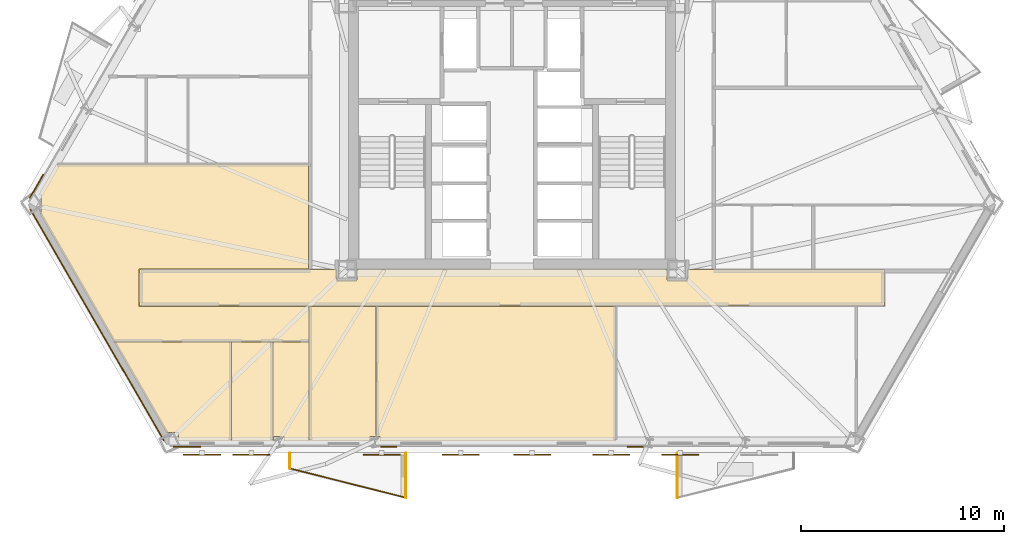
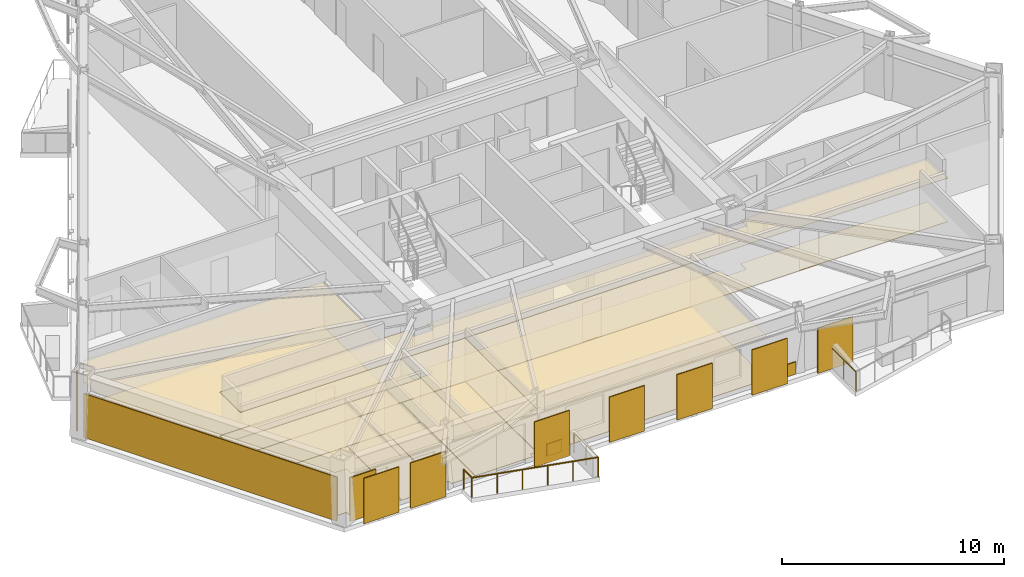
# One storey, part 7 of 10: 19 coverings, 7 shading devices, 4 railings.
"""IFC4 building model written with IfcOpenShell, lengths in metres."""

import ifcopenshell
import ifcopenshell.guid

model = None  # the IFC model being written
_history = None  # IfcOwnerHistory: only IFC2X3 demands one
_inside = {}  # id of a spatial element -> (the spatial element, [elements in it])
_under = {}  # id of a project, library or spatial element -> (it, [spatial elements below it])
_declared = {}  # id of a project -> (the project, [libraries it declares])
_typed = {}  # id of a type object -> (the type object, [elements of that type])
_made_of = {}  # id of a material, layer set ... -> (it, [elements and type objects made of it])


def new_model(schema):
    """Start an empty IFC model of exactly this schema.

    Asked for "IFC4X3", IfcOpenShell would pick the latest addendum, in which some entities
    have other attributes; the version numbers below select the first issue.
    IFC2X3 requires an IfcOwnerHistory on every rooted entity: one is made here for all.
    """
    global model, _history
    if schema == "IFC4X3":
        model = ifcopenshell.file(schema_version=(4, 3, 0, 0))
    else:
        model = ifcopenshell.file(schema=schema)
    _inside.clear()
    _under.clear()
    _declared.clear()
    _typed.clear()
    _made_of.clear()
    _history = None
    if model.schema == "IFC2X3":
        org = make("IfcOrganization", Name="unknown")
        user = make(
            "IfcPersonAndOrganization",
            ThePerson=make("IfcPerson", FamilyName="unknown"),
            TheOrganization=org,
        )
        app = make(
            "IfcApplication",
            ApplicationDeveloper=org,
            Version="unknown",
            ApplicationFullName="unknown",
            ApplicationIdentifier="unknown",
        )
        _history = make(
            "IfcOwnerHistory",
            OwningUser=user,
            OwningApplication=app,
            ChangeAction="ADDED",
            CreationDate=0,
        )
    return model


def make(cls, **values):
    """One entity of the class cls with the attributes given. An attribute that is None is left unset."""
    return model.create_entity(
        cls, **{name: value for name, value in values.items() if value is not None}
    )


def rooted(cls, **values):
    """An entity with a GlobalId (a new one), such as an element, a storey or a relation."""
    return make(cls, GlobalId=ifcopenshell.guid.new(), OwnerHistory=_history, **values)


def si_unit(unit_type, name, prefix=None):
    """IfcSIUnit, for example si_unit("LENGTHUNIT", "METRE", prefix="MILLI")."""
    return make("IfcSIUnit", UnitType=unit_type, Prefix=prefix, Name=name)


def assignment(units):
    """IfcUnitAssignment: the units of a project."""
    return None if units is None else make("IfcUnitAssignment", Units=units)


def point(xyz):
    """IfcCartesianPoint."""
    return None if xyz is None else make("IfcCartesianPoint", Coordinates=xyz)


def direction(xyz):
    """IfcDirection."""
    return None if xyz is None else make("IfcDirection", DirectionRatios=xyz)


def frame(location, z_axis=None, x_axis=None):
    """IfcAxis2Placement3D, a coordinate frame: its origin and axes. An axis left out is left unset."""
    return make(
        "IfcAxis2Placement3D",
        Location=point(location),
        Axis=direction(z_axis),
        RefDirection=direction(x_axis),
    )


def frame_2d(location, x_axis=None):
    """IfcAxis2Placement2D, a coordinate frame in the plane: its origin and x axis."""
    return make(
        "IfcAxis2Placement2D", Location=point(location), RefDirection=direction(x_axis)
    )


def origin():
    """The frame at (0, 0, 0) with its axes left unset."""
    return frame((0.0, 0.0, 0.0))


def origin_2d():
    """The frame at (0, 0) in the plane with its x axis left unset."""
    return frame_2d((0.0, 0.0))


def place(relative_to, where):
    """IfcLocalPlacement: puts the frame where relative to a parent placement (None: the world)."""
    return make(
        "IfcLocalPlacement", PlacementRelTo=relative_to, RelativePlacement=where
    )


def context(
    kind, dimensions, precision=None, world=None, true_north=None, identifier=None
):
    """IfcGeometricRepresentationContext, for example the 3D "Model" context."""
    return make(
        "IfcGeometricRepresentationContext",
        ContextIdentifier=identifier,
        ContextType=kind,
        CoordinateSpaceDimension=dimensions,
        Precision=precision,
        WorldCoordinateSystem=world,
        TrueNorth=true_north,
    )


def subcontext(parent, identifier, kind, view, scale=None):
    """IfcGeometricRepresentationSubContext, for example "Body" below "Model"."""
    return make(
        "IfcGeometricRepresentationSubContext",
        ContextIdentifier=identifier,
        ContextType=kind,
        ParentContext=parent,
        TargetScale=scale,
        TargetView=view,
    )


def project(units=None, contexts=None):
    """IfcProject with its units and contexts."""
    return rooted(
        "IfcProject",
        Name="project",
        RepresentationContexts=contexts,
        UnitsInContext=assignment(units),
    )


def spatial(cls, under=None, at=None, **own):
    """A site, building, storey or space (cls), placed at a placement, below another one or the project."""
    s = rooted(cls, ObjectPlacement=at, **own)
    if under is not None:
        _under.setdefault(under.id(), (under, []))[1].append(s)
    return s


def polyline(points):
    """IfcPolyline through the points."""
    return make("IfcPolyline", Points=[point(p) for p in points])


def profile(cls, at=None, kind="AREA", **sizes):
    """A parametric profile (cls). Its sizes go by their IFC names, for example OverallWidth=200.0."""
    return make(cls, ProfileType=kind, Position=at, **sizes)


def rectangle(**sizes):
    """IfcRectangleProfileDef."""
    return profile("IfcRectangleProfileDef", **sizes)


def circle(**sizes):
    """IfcCircleProfileDef."""
    return profile("IfcCircleProfileDef", **sizes)


def outline(outer, holes=None, kind="AREA"):
    """IfcArbitraryClosedProfileDef: a profile drawn as a closed curve; with holes, ...WithVoids."""
    if holes is None:
        return make("IfcArbitraryClosedProfileDef", ProfileType=kind, OuterCurve=outer)
    return make(
        "IfcArbitraryProfileDefWithVoids",
        ProfileType=kind,
        OuterCurve=outer,
        InnerCurves=holes,
    )


def extrude(swept, where, along, depth):
    """IfcExtrudedAreaSolid: the profile swept, set in the frame where, extruded along a direction by depth."""
    return make(
        "IfcExtrudedAreaSolid",
        SweptArea=swept,
        Position=where,
        ExtrudedDirection=direction(along),
        Depth=depth,
    )


def shape(context_of_items, identifier, shape_type, items):
    """IfcShapeRepresentation: the items that make up one representation, for example the "Body"."""
    return make(
        "IfcShapeRepresentation",
        ContextOfItems=context_of_items,
        RepresentationIdentifier=identifier,
        RepresentationType=shape_type,
        Items=items,
    )


def material(Name=None, Category=None):
    """IfcMaterial."""
    return make("IfcMaterial", Name=Name, Category=Category)


def layer(
    of_material, thickness, ventilated=None, Name=None, Category=None, Priority=None
):
    """IfcMaterialLayer: one layer of a wall or slab, of a material (None: an air gap)."""
    return make(
        "IfcMaterialLayer",
        Material=of_material,
        LayerThickness=thickness,
        IsVentilated=ventilated,
        Name=Name,
        Category=Category,
        Priority=Priority,
    )


def layer_set(layers, Name=None):
    """IfcMaterialLayerSet."""
    return make("IfcMaterialLayerSet", MaterialLayers=layers, LayerSetName=Name)


def made_of(thing, what):
    """Note that an element or type object is made of a material, layer set ...; save() writes the relation."""
    if what is not None:
        _made_of.setdefault(what.id(), (what, []))[1].append(thing)
    return thing


def type_object(cls, material=None, **own):
    """A type object (cls), such as IfcWallType, which elements share."""
    return made_of(rooted(cls, **own), material)


def element(
    cls,
    number,
    at=None,
    inside=None,
    cuts=None,
    type_object=None,
    material=None,
    context=None,
    identifier="Body",
    shape_type=None,
    held_by="IfcProductDefinitionShape",
    body=None,
    shapes=None,
    **own,
):
    """One element of the class cls, such as IfcWall. Its Tag is "e" and its number.

    at: its placement. inside: the storey or other place that contains it. cuts: it is an
    opening in that element (IfcRelVoidsElement). A single representation is given by context,
    identifier, shape_type and body (its items); several are given by shapes. held_by: the class
    of the entity that holds the representations. save() writes the other relations.
    """
    e = rooted(cls, Tag="e%d" % number, ObjectPlacement=at, **own)
    if body is not None:
        shapes = [shape(context, identifier, shape_type, body)]
    if shapes is not None:
        e.Representation = make(held_by, Representations=shapes)
    if inside is not None:
        _inside.setdefault(inside.id(), (inside, []))[1].append(e)
    if cuts is not None:
        rooted(
            "IfcRelVoidsElement", RelatingBuildingElement=cuts, RelatedOpeningElement=e
        )
    if type_object is not None:
        _typed.setdefault(type_object.id(), (type_object, []))[1].append(e)
    return made_of(e, material)


def aggregate(whole, parts):
    """IfcRelAggregates: a whole, such as a stair, and the parts it consists of."""
    return rooted("IfcRelAggregates", RelatingObject=whole, RelatedObjects=parts)


def save(model, path):
    """Write the relations noted so far, then the file.

    IfcRelAggregates (storeys below a building ...), IfcRelContainedInSpatialStructure (elements
    in a storey), IfcRelDefinesByType, IfcRelAssociatesMaterial and IfcRelDeclares: one each for
    every whole, place, type object, material and project.
    """
    for whole, parts in _under.values():
        aggregate(whole, parts)
    for where, things in _inside.values():
        rooted(
            "IfcRelContainedInSpatialStructure",
            RelatedElements=things,
            RelatingStructure=where,
        )
    for kind, things in _typed.values():
        rooted("IfcRelDefinesByType", RelatedObjects=things, RelatingType=kind)
    for what, things in _made_of.values():
        rooted("IfcRelAssociatesMaterial", RelatedObjects=things, RelatingMaterial=what)
    for by, libraries in _declared.values():
        rooted("IfcRelDeclares", RelatingContext=by, RelatedDefinitions=libraries)
    model.write(path)


model = new_model("IFC4")

# Units and contexts
model_context = context("Model", 3, precision=1e-05, world=origin(), true_north=direction((0.0, 1.0)))
body_context = subcontext(model_context, "Body", "Model", "MODEL_VIEW")
ifc_project = project(units=[si_unit("LENGTHUNIT", "METRE"), si_unit("AREAUNIT", "SQUARE_METRE"), si_unit("VOLUMEUNIT", "CUBIC_METRE"), si_unit("PLANEANGLEUNIT", "RADIAN"), si_unit("MASSUNIT", "GRAM", prefix="KILO")], contexts=[model_context])

# Site, building, storey
site_placement = place(None, origin())
site = spatial("IfcSite", under=ifc_project, at=site_placement, CompositionType="ELEMENT")
building_placement = place(site_placement, origin())
building = spatial("IfcBuilding", under=site, at=building_placement, Name="Oramaril Tower", CompositionType="ELEMENT")
storey_placement = place(building_placement, frame((0.0, 0.0, 66.89990234375)))
storey = spatial("IfcBuildingStorey", under=building, at=storey_placement, Name="L17", CompositionType="ELEMENT", Elevation=66.89990234375)

# Coverings
ifc_material_1 = material(Name="Mineral Fibre Acoustic Ceiling")
ifc_layer_1 = layer(ifc_material_1, 0.02001953125)
ifc_layer_set_1 = layer_set([ifc_layer_1], Name="CVT-CEIL")
covering_type_1 = type_object("IfcCoveringType", Name="CVT-CEIL", PredefinedType="CEILING", material=ifc_layer_set_1)
covering_1_placement = place(storey_placement, frame((0.0, 0.0, 2.400146484375)))
element("IfcCovering", 1, at=covering_1_placement, inside=storey, type_object=covering_type_1, Name="L17 Acoustic Suspended Ceiling 1", PredefinedType="CEILING", context=body_context, shape_type="SweptSolid", body=[
    extrude(outline(polyline([(28.85498046875, 10.5048828125), (29.844970703125, 10.5048828125), (29.844970703125, 11.030029296875), (45.155029296875, 11.030029296875), (45.155029296875, 10.5048828125), (46.14501953125, 10.5048828125), (46.14501953125, 11.030029296875), (55.8798828125, 11.030029296875), (55.8798828125, 9.219970703125), (19.1201171875, 9.219970703125), (19.1201171875, 11.030029296875), (28.85498046875, 11.030029296875), (28.85498046875, 10.5048828125)])), origin(), (0.0, 0.0, 1.0), 0.02001953125),
])
covering_2_placement = place(storey_placement, frame((0.0, 0.0, 2.400146484375)))
element("IfcCovering", 2, at=covering_2_placement, inside=storey, type_object=covering_type_1, Name="L17 Acoustic Suspended Ceiling 5", PredefinedType="CEILING", context=body_context, shape_type="SweptSolid", body=[
    extrude(outline(polyline([(30.984375, 2.573974609375), (30.984375, 2.797607421875), (30.819091796875, 2.797607421875), (30.819091796875, 9.199951171875), (42.64208984375, 9.199951171875), (42.64208984375, 2.573974609375), (30.984375, 2.573974609375)])), origin(), (0.0, 0.0, 1.0), 0.02001953125),
])
covering_3_placement = place(storey_placement, frame((0.0, 0.0, 2.400146484375)))
element("IfcCovering", 3, at=covering_3_placement, inside=storey, type_object=covering_type_1, Name="L17 Acoustic Suspended Ceiling 6", PredefinedType="CEILING", context=body_context, shape_type="SweptSolid", body=[
    extrude(outline(polyline([(27.508056640625, 9.199951171875), (30.799072265625, 9.199951171875), (30.799072265625, 2.797607421875), (30.49267578125, 2.797607421875), (30.49267578125, 2.573974609375), (27.508056640625, 2.573974609375), (27.508056640625, 9.199951171875)])), origin(), (0.0, 0.0, 1.0), 0.02001953125),
])
covering_4_placement = place(storey_placement, frame((0.0, 0.0, 2.400146484375)))
element("IfcCovering", 4, at=covering_4_placement, inside=storey, type_object=covering_type_1, Name="L17 Acoustic Suspended Ceiling 9", PredefinedType="CEILING", context=body_context, shape_type="SweptSolid", body=[
    extrude(outline(polyline([(27.449951171875, 16.241943359375), (27.449951171875, 11.050048828125), (19.1201171875, 11.050048828125), (19.117919921875, 11.0498046875), (19.1162109375, 11.049560546875), (19.1142578125, 11.049072265625), (19.1123046875, 11.048583984375), (19.110595703125, 11.047607421875), (19.10888671875, 11.046630859375), (19.107421875, 11.04541015625), (19.10595703125, 11.044189453125), (19.1044921875, 11.042724609375), (19.103515625, 11.041015625), (19.102294921875, 11.039306640625), (19.1015625, 11.03759765625), (19.100830078125, 11.035888671875), (19.100341796875, 11.033935546875), (19.10009765625, 11.031982421875), (19.10009765625, 11.030029296875), (19.10009765625, 9.219970703125), (19.10009765625, 9.218017578125), (19.100341796875, 9.216064453125), (19.100830078125, 9.214111328125), (19.1015625, 9.21240234375), (19.102294921875, 9.210693359375), (19.103515625, 9.208984375), (19.1044921875, 9.207275390625), (19.10595703125, 9.205810546875), (19.107421875, 9.20458984375), (19.10888671875, 9.203369140625), (19.110595703125, 9.202392578125), (19.1123046875, 9.201416015625), (19.1142578125, 9.200927734375), (19.1162109375, 9.200439453125), (19.117919921875, 9.2001953125), (19.1201171875, 9.199951171875), (27.488037109375, 9.199951171875), (27.488037109375, 7.464111328125), (17.857177734375, 7.464111328125), (14.2041015625, 13.79150390625), (14.267578125, 13.79150390625), (14.267578125, 14.717041015625), (14.15478515625, 14.717041015625), (15.03515625, 16.241943359375), (27.449951171875, 16.241943359375)])), origin(), (0.0, 0.0, 1.0), 0.02001953125),
])
covering_5_placement = place(storey_placement, frame((0.0, 0.0, 2.400146484375)))
element("IfcCovering", 5, at=covering_5_placement, inside=storey, type_object=covering_type_1, Name="L17 Acoustic Suspended Ceiling 10", PredefinedType="CEILING", context=body_context, shape_type="SweptSolid", body=[
    extrude(outline(polyline([(21.0380859375, 2.573974609375), (21.0380859375, 2.980712890625), (20.44580078125, 2.980712890625), (17.86865234375, 7.444091796875), (23.652099609375, 7.444091796875), (23.652099609375, 2.573974609375), (21.0380859375, 2.573974609375)])), origin(), (0.0, 0.0, 1.0), 0.02001953125),
])
covering_6_placement = place(storey_placement, frame((0.0, 0.0, 2.400146484375)))
element("IfcCovering", 6, at=covering_6_placement, inside=storey, type_object=covering_type_1, Name="L17 Acoustic Suspended Ceiling 11", PredefinedType="CEILING", context=body_context, shape_type="SweptSolid", body=[
    extrude(outline(polyline([(23.672119140625, 2.573974609375), (23.672119140625, 7.444091796875), (25.701904296875, 7.444091796875), (25.701904296875, 2.573974609375), (23.672119140625, 2.573974609375)])), origin(), (0.0, 0.0, 1.0), 0.02001953125),
])
covering_7_placement = place(storey_placement, frame((0.0, 0.0, 2.400146484375)))
element("IfcCovering", 7, at=covering_7_placement, inside=storey, type_object=covering_type_1, Name="L17 Acoustic Suspended Ceiling 12", PredefinedType="CEILING", context=body_context, shape_type="SweptSolid", body=[
    extrude(outline(polyline([(26.25732421875, 2.573974609375), (26.25732421875, 2.797607421875), (25.75341796875, 2.797607421875), (25.75341796875, 2.573974609375), (25.721923828125, 2.573974609375), (25.721923828125, 7.444091796875), (27.488037109375, 7.444091796875), (27.488037109375, 2.573974609375), (26.25732421875, 2.573974609375)])), origin(), (0.0, 0.0, 1.0), 0.02001953125),
])
ifc_material_2 = material(Name="Warm Cream Limestone", Category="masonry")
ifc_layer_2 = layer(ifc_material_2, 0.050048828125)
ifc_layer_set_2 = layer_set([ifc_layer_2], Name="CVT-CLD")
covering_type_2 = type_object("IfcCoveringType", Name="CVT-CLD", PredefinedType="CLADDING", material=ifc_layer_set_2)
covering_8_placement = place(storey_placement, frame((17.03564453125, 8.284912109375, 0.0400390625), z_axis=(0.0, 0.0, 1.0), x_axis=(0.5, -0.866025403784, 0.0)))
element("IfcCovering", 8, at=covering_8_placement, inside=storey, type_object=covering_type_2, Name="L17 Warm Cream Limestone Cladding", PredefinedType="CLADDING", context=body_context, shape_type="SweptSolid", body=[
    extrude(rectangle(XDim=13.161376953125, YDim=0.050048828125, at=origin_2d()), origin(), (0.0, 0.0, 1.0), 2.4140625),
])
covering_9_placement = place(storey_placement, frame((21.46826171875, 2.27294921875, 0.0400390625), z_axis=(0.0, 0.0, 1.0), x_axis=(1.0, 0.0, 0.0)))
element("IfcCovering", 9, at=covering_9_placement, inside=storey, type_object=covering_type_2, Name="L17 Warm Cream Limestone Cladding", PredefinedType="CLADDING", context=body_context, shape_type="SweptSolid", body=[
    extrude(rectangle(XDim=1.35009765625, YDim=0.050048828125, at=origin_2d()), origin(), (0.0, 0.0, 1.0), 2.4140625),
])
for number, where, z_axis, x_axis, name in (
    (10, (31.422607421875, 2.27294921875, 0.0400390625), (0.0, 0.0, 1.0), (1.0, 0.0, 0.0), "L17 Warm Cream Limestone Spandrel Cladding"),
    (11, (43.577392578125, 2.27294921875, 0.0400390625), (0.0, 0.0, 1.0), (1.0, 0.0, 0.0), "L17 Warm Cream Limestone Spandrel Cladding"),
):
    element("IfcCovering", number, at=place(storey_placement, frame(where, z_axis=z_axis, x_axis=x_axis)), inside=storey, type_object=covering_type_2, Name=name, PredefinedType="CLADDING", context=body_context, shape_type="SweptSolid", body=[
        extrude(rectangle(XDim=0.800048828125, YDim=0.050048828125, at=origin_2d()), origin(), (0.0, 0.0, 1.0), 0.679931640625),
    ])
covering_10_placement = place(storey_placement, frame((14.04541015625, 15.129638671875, 0.0400390625), z_axis=(0.0, 0.0, 1.0), x_axis=(-0.5, -0.866025403784, 0.0)))
element("IfcCovering", 12, at=covering_10_placement, inside=storey, type_object=covering_type_2, Name="L17 Warm Cream Limestone Cladding", PredefinedType="CLADDING", context=body_context, shape_type="SweptSolid", body=[
    extrude(rectangle(XDim=1.35009765625, YDim=0.050048828125, at=origin_2d()), origin(), (0.0, 0.0, 1.0), 2.4140625),
])
ifc_material_3 = material(Name="Honed Quartzite Stone Flooring", Category="masonry")
ifc_layer_3 = layer(ifc_material_3, 0.02490234375)
ifc_layer_set_3 = layer_set([ifc_layer_3], Name="CVT-FLR")
covering_type_3 = type_object("IfcCoveringType", Name="CVT-FLR", PredefinedType="FLOORING", material=ifc_layer_set_3)
covering_11_placement = place(storey_placement, origin())
element("IfcCovering", 13, at=covering_11_placement, inside=storey, type_object=covering_type_3, Name="L17 Honed Stone Floor Finish 1", PredefinedType="FLOORING", context=body_context, shape_type="SweptSolid", body=[
    extrude(outline(polyline([(28.85498046875, 10.5048828125), (29.844970703125, 10.5048828125), (29.844970703125, 11.030029296875), (45.155029296875, 11.030029296875), (45.155029296875, 10.5048828125), (46.14501953125, 10.5048828125), (46.14501953125, 11.030029296875), (55.8798828125, 11.030029296875), (55.8798828125, 9.219970703125), (19.1201171875, 9.219970703125), (19.1201171875, 11.030029296875), (28.85498046875, 11.030029296875), (28.85498046875, 10.5048828125)])), origin(), (0.0, 0.0, 1.0), 0.025146484375),
])
covering_12_placement = place(storey_placement, origin())
element("IfcCovering", 14, at=covering_12_placement, inside=storey, type_object=covering_type_3, Name="L17 Honed Stone Floor Finish 5", PredefinedType="FLOORING", context=body_context, shape_type="SweptSolid", body=[
    extrude(outline(polyline([(30.984375, 2.573974609375), (30.984375, 2.797607421875), (30.819091796875, 2.797607421875), (30.819091796875, 9.199951171875), (42.64208984375, 9.199951171875), (42.64208984375, 2.573974609375), (30.984375, 2.573974609375)])), origin(), (0.0, 0.0, 1.0), 0.025146484375),
])
covering_13_placement = place(storey_placement, origin())
element("IfcCovering", 15, at=covering_13_placement, inside=storey, type_object=covering_type_3, Name="L17 Honed Stone Floor Finish 6", PredefinedType="FLOORING", context=body_context, shape_type="SweptSolid", body=[
    extrude(outline(polyline([(27.508056640625, 9.199951171875), (30.799072265625, 9.199951171875), (30.799072265625, 2.797607421875), (30.49267578125, 2.797607421875), (30.49267578125, 2.573974609375), (27.508056640625, 2.573974609375), (27.508056640625, 9.199951171875)])), origin(), (0.0, 0.0, 1.0), 0.025146484375),
])
covering_14_placement = place(storey_placement, origin())
element("IfcCovering", 16, at=covering_14_placement, inside=storey, type_object=covering_type_3, Name="L17 Honed Stone Floor Finish 9", PredefinedType="FLOORING", context=body_context, shape_type="SweptSolid", body=[
    extrude(outline(polyline([(27.449951171875, 16.241943359375), (27.449951171875, 11.050048828125), (19.1201171875, 11.050048828125), (19.117919921875, 11.0498046875), (19.1162109375, 11.049560546875), (19.1142578125, 11.049072265625), (19.1123046875, 11.048583984375), (19.110595703125, 11.047607421875), (19.10888671875, 11.046630859375), (19.107421875, 11.04541015625), (19.10595703125, 11.044189453125), (19.1044921875, 11.042724609375), (19.103515625, 11.041015625), (19.102294921875, 11.039306640625), (19.1015625, 11.03759765625), (19.100830078125, 11.035888671875), (19.100341796875, 11.033935546875), (19.10009765625, 11.031982421875), (19.10009765625, 11.030029296875), (19.10009765625, 9.219970703125), (19.10009765625, 9.218017578125), (19.100341796875, 9.216064453125), (19.100830078125, 9.214111328125), (19.1015625, 9.21240234375), (19.102294921875, 9.210693359375), (19.103515625, 9.208984375), (19.1044921875, 9.207275390625), (19.10595703125, 9.205810546875), (19.107421875, 9.20458984375), (19.10888671875, 9.203369140625), (19.110595703125, 9.202392578125), (19.1123046875, 9.201416015625), (19.1142578125, 9.200927734375), (19.1162109375, 9.200439453125), (19.117919921875, 9.2001953125), (19.1201171875, 9.199951171875), (27.488037109375, 9.199951171875), (27.488037109375, 7.464111328125), (17.857177734375, 7.464111328125), (14.2041015625, 13.79150390625), (14.267578125, 13.79150390625), (14.267578125, 14.717041015625), (14.15478515625, 14.717041015625), (15.03515625, 16.241943359375), (27.449951171875, 16.241943359375)])), origin(), (0.0, 0.0, 1.0), 0.025146484375),
])
covering_15_placement = place(storey_placement, origin())
element("IfcCovering", 17, at=covering_15_placement, inside=storey, type_object=covering_type_3, Name="L17 Honed Stone Floor Finish 10", PredefinedType="FLOORING", context=body_context, shape_type="SweptSolid", body=[
    extrude(outline(polyline([(21.0380859375, 2.573974609375), (21.0380859375, 2.980712890625), (20.44580078125, 2.980712890625), (17.86865234375, 7.444091796875), (23.652099609375, 7.444091796875), (23.652099609375, 2.573974609375), (21.0380859375, 2.573974609375)])), origin(), (0.0, 0.0, 1.0), 0.025146484375),
])
covering_16_placement = place(storey_placement, origin())
element("IfcCovering", 18, at=covering_16_placement, inside=storey, type_object=covering_type_3, Name="L17 Honed Stone Floor Finish 11", PredefinedType="FLOORING", context=body_context, shape_type="SweptSolid", body=[
    extrude(outline(polyline([(23.672119140625, 2.573974609375), (23.672119140625, 7.444091796875), (25.701904296875, 7.444091796875), (25.701904296875, 2.573974609375), (23.672119140625, 2.573974609375)])), origin(), (0.0, 0.0, 1.0), 0.025146484375),
])
covering_17_placement = place(storey_placement, origin())
element("IfcCovering", 19, at=covering_17_placement, inside=storey, type_object=covering_type_3, Name="L17 Honed Stone Floor Finish 12", PredefinedType="FLOORING", context=body_context, shape_type="SweptSolid", body=[
    extrude(outline(polyline([(26.25732421875, 2.573974609375), (26.25732421875, 2.797607421875), (25.75341796875, 2.797607421875), (25.75341796875, 2.573974609375), (25.721923828125, 2.573974609375), (25.721923828125, 7.444091796875), (27.488037109375, 7.444091796875), (27.488037109375, 2.573974609375), (26.25732421875, 2.573974609375)])), origin(), (0.0, 0.0, 1.0), 0.025146484375),
])

# Railings
ifc_material_4 = material(Name="Stainless Steel 316L", Category="steel")
railing_type = type_object("IfcRailingType", Name="RLT-GRD", PredefinedType="GUARDRAIL", material=ifc_material_4)
railing_1_placement = place(storey_placement, frame((32.267578125, 1.9580078125, 0.0)))
element("IfcRailing", 20, at=railing_1_placement, inside=storey, type_object=railing_type, Name="L17 Balcony Guardrail L17-BAL-S1.1", PredefinedType="GUARDRAIL", context=body_context, shape_type="SweptSolid", body=[
    extrude(circle(Radius=0.02392578125, at=origin_2d()), frame((0.0, 0.0, 1.076171875), z_axis=(0.0, -1.0, 0.0), x_axis=(1.0, 0.0, 0.0)), (0.0, 0.0, 1.0), 2.192138671875),
    extrude(circle(Radius=0.02099609375, at=origin_2d()), origin(), (0.0, 0.0, 1.0), 1.052001953125),
    extrude(circle(Radius=0.02099609375, at=origin_2d()), frame((0.0, -1.09619140625, 0.0)), (0.0, 0.0, 1.0), 1.052001953125),
    extrude(circle(Radius=0.02099609375, at=origin_2d()), frame((0.0, -2.192138671875, 0.0)), (0.0, 0.0, 1.0), 1.052001953125),
])
railing_2_placement = place(storey_placement, frame((32.267578125, -0.234130859375, 0.0)))
element("IfcRailing", 21, at=railing_2_placement, inside=storey, type_object=railing_type, Name="L17 Balcony Guardrail L17-BAL-S1.2", PredefinedType="GUARDRAIL", context=body_context, shape_type="SweptSolid", body=[
    extrude(circle(Radius=0.02392578125, at=origin_2d()), frame((0.0, 0.0, 1.076171875), z_axis=(-0.969443611257, 0.245314256807, 0.0), x_axis=(-0.245314256807, -0.969443611257, 0.0)), (0.0, 0.0, 1.0), 5.91064453125),
    extrude(circle(Radius=0.02099609375, at=origin_2d()), origin(), (0.0, 0.0, 1.0), 1.052001953125),
    extrude(circle(Radius=0.02099609375, at=origin_2d()), frame((-1.14599609375, 0.2900390625, 0.0)), (0.0, 0.0, 1.0), 1.052001953125),
    extrude(circle(Radius=0.02099609375, at=origin_2d()), frame((-2.2919921875, 0.580078125, 0.0)), (0.0, 0.0, 1.0), 1.052001953125),
    extrude(circle(Radius=0.02099609375, at=origin_2d()), frame((-3.43798828125, 0.869873046875, 0.0)), (0.0, 0.0, 1.0), 1.052001953125),
    extrude(circle(Radius=0.02099609375, at=origin_2d()), frame((-4.583984375, 1.159912109375, 0.0)), (0.0, 0.0, 1.0), 1.052001953125),
    extrude(circle(Radius=0.02099609375, at=origin_2d()), frame((-5.72998046875, 1.449951171875, 0.0)), (0.0, 0.0, 1.0), 1.052001953125),
])
railing_3_placement = place(storey_placement, frame((26.53759765625, 1.2158203125, 0.0)))
element("IfcRailing", 22, at=railing_3_placement, inside=storey, type_object=railing_type, Name="L17 Balcony Guardrail L17-BAL-S1.3", PredefinedType="GUARDRAIL", context=body_context, shape_type="SweptSolid", body=[
    extrude(circle(Radius=0.02392578125, at=origin_2d()), frame((0.0, 0.0, 1.076171875), z_axis=(0.0, 1.0, 0.0), x_axis=(-1.0, 0.0, 0.0)), (0.0, 0.0, 1.0), 0.7421875),
    extrude(circle(Radius=0.02099609375, at=origin_2d()), origin(), (0.0, 0.0, 1.0), 1.052001953125),
    extrude(circle(Radius=0.02099609375, at=origin_2d()), frame((0.0, 0.7421875, 0.0)), (0.0, 0.0, 1.0), 1.052001953125),
])
railing_4_placement = place(storey_placement, frame((45.657470703125, -0.234130859375, 0.0)))
element("IfcRailing", 23, at=railing_4_placement, inside=storey, type_object=railing_type, Name="L17 Balcony Guardrail L17-BAL-S2.3", PredefinedType="GUARDRAIL", context=body_context, shape_type="SweptSolid", body=[
    extrude(circle(Radius=0.02392578125, at=origin_2d()), frame((0.0, 0.0, 1.076171875), z_axis=(0.0, 1.0, 0.0), x_axis=(-1.0, 0.0, 0.0)), (0.0, 0.0, 1.0), 2.192138671875),
    extrude(circle(Radius=0.02099609375, at=origin_2d()), origin(), (0.0, 0.0, 1.0), 1.052001953125),
    extrude(circle(Radius=0.02099609375, at=origin_2d()), frame((0.0, 1.09619140625, 0.0)), (0.0, 0.0, 1.0), 1.052001953125),
    extrude(circle(Radius=0.02099609375, at=origin_2d()), frame((0.0, 2.192138671875, 0.0)), (0.0, 0.0, 1.0), 1.052001953125),
])

# Shading devices
for number, where, z_axis, x_axis, name in (
    (24, (31.069580078125, 1.885986328125, -0.02001953125), (0.0, 0.0, 1.0), (1.0, 0.0, 0.0), "L17 Perforated Ceramic Solar Screen"),
    (25, (34.9697265625, 1.885986328125, -0.02001953125), (0.0, 0.0, 1.0), (1.0, 0.0, 0.0), "L17 Perforated Ceramic Solar Screen"),
    (26, (38.4912109375, 1.885986328125, -0.02001953125), (0.0, 0.0, 1.0), (1.0, 0.0, 0.0), "L17 Perforated Ceramic Solar Screen"),
    (27, (42.391357421875, 1.885986328125, -0.02001953125), (0.0, 0.0, 1.0), (1.0, 0.0, 0.0), "L17 Perforated Ceramic Solar Screen"),
    (28, (45.801513671875, 1.885986328125, -0.02001953125), (0.0, 0.0, 1.0), (1.0, 0.0, 0.0), "L17 Perforated Ceramic Solar Screen"),
    (29, (22.20703125, 1.885986328125, -0.02001953125), (0.0, 0.0, 1.0), (1.0, 0.0, 0.0), "L17 Perforated Ceramic Solar Screen"),
    (30, (24.635009765625, 1.885986328125, -0.02001953125), (0.0, 0.0, 1.0), (1.0, 0.0, 0.0), "L17 Perforated Ceramic Solar Screen"),
):
    element("IfcShadingDevice", number, at=place(storey_placement, frame(where, z_axis=z_axis, x_axis=x_axis)), inside=storey, Name=name, ObjectType="SCREEN", PredefinedType="USERDEFINED", context=body_context, shape_type="SweptSolid", body=[
        extrude(rectangle(XDim=1.8330078125, YDim=0.050048828125, at=origin_2d()), origin(), (0.0, 0.0, 1.0), 2.493896484375),
    ])

save(model, "model.ifc")
